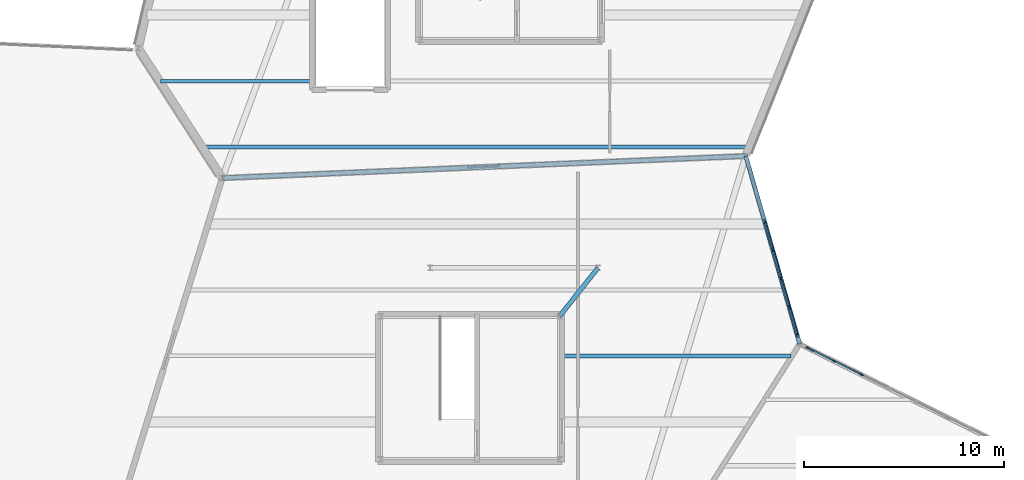
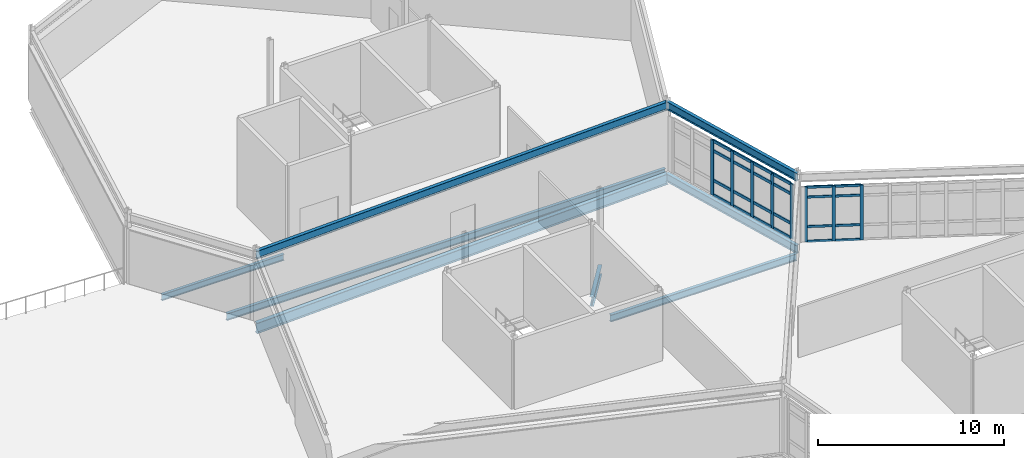
# One storey, part 32 of 76: 32 members, 8 beams, 2 elements without a shape of their own.
"""IFC4 building model written with IfcOpenShell, lengths in metres."""

from ifc_helpers import new_model, si_unit, direction, frame, origin, origin_2d, place, context, subcontext, project, spatial, rectangle, i_section, extrude, material, material_profile, profile_set, type_object, element, aggregate, save


model = new_model("IFC4")

# Units and contexts
model_context = context("Model", 3, precision=1e-05, world=origin(), true_north=direction((0.0, 1.0)))
body_context = subcontext(model_context, "Body", "Model", "MODEL_VIEW")
ifc_project = project(units=[si_unit("LENGTHUNIT", "METRE"), si_unit("AREAUNIT", "SQUARE_METRE"), si_unit("VOLUMEUNIT", "CUBIC_METRE"), si_unit("PLANEANGLEUNIT", "RADIAN"), si_unit("MASSUNIT", "GRAM", prefix="KILO")], contexts=[model_context])

# Site, building, storey
site_placement = place(None, origin())
site = spatial("IfcSite", under=ifc_project, at=site_placement, CompositionType="ELEMENT")
building_placement = place(site_placement, origin())
building = spatial("IfcBuilding", under=site, at=building_placement, Name="Tameran Prism Museum", CompositionType="ELEMENT")
storey_placement = place(building_placement, frame((0.0, 0.0, 15.0)))
storey = spatial("IfcBuildingStorey", under=building, at=storey_placement, Name="L03", CompositionType="ELEMENT", Elevation=15.0)

# Beams
ifc_material_1 = material(Name="Steel Grade 300PLUS (300 MPa)", Category="steel")
ifc_material_profile_1 = material_profile(ifc_material_1, i_section(OverallWidth=0.177978515625, OverallDepth=0.406005859375, WebThickness=0.0078125, FlangeThickness=0.0126953125, FilletRadius=0.011474609375, at=origin_2d()))
ifc_profile_set_1 = profile_set([ifc_material_profile_1])
beam_type_1 = type_object("IfcBeamType", Name="BM-J410A", PredefinedType="JOIST", material=ifc_profile_set_1)
beam_1_placement = place(storey_placement, frame((28.513916015625, 86.35009765625, -0.403076171875), z_axis=(1.0, 0.0, 0.0), x_axis=(0.0, 1.0, 0.0)))
element("IfcBeam", 1, at=beam_1_placement, inside=storey, type_object=beam_type_1, Name="Floor Beam BM-1130", PredefinedType="JOIST", context=body_context, shape_type="SweptSolid", body=[
    extrude(i_section(OverallWidth=0.177978515625, OverallDepth=0.406005859375, WebThickness=0.0078125, FlangeThickness=0.0126953125, FilletRadius=0.011474609375, at=origin_2d()), origin(), (0.0, 0.0, 1.0), 7.606201171875),
])
ifc_material_2 = material(Name="Steel Grade 300PLUS (300 MPa)", Category="steel")
ifc_material_profile_2 = material_profile(ifc_material_2, i_section(OverallWidth=0.19091796875, OverallDepth=0.4599609375, WebThickness=0.010009765625, FlangeThickness=0.01611328125, FilletRadius=0.011474609375, at=origin_2d()))
ifc_profile_set_2 = profile_set([ifc_material_profile_2])
beam_type_2 = type_object("IfcBeamType", Name="BM-J460A", PredefinedType="JOIST", material=ifc_profile_set_2)
beam_2_placement = place(storey_placement, frame((48.47998046875, 72.60009765625, -0.429931640625), z_axis=(1.0, 0.0, 0.0), x_axis=(0.0, 1.0, 0.0)))
element("IfcBeam", 2, at=beam_2_placement, inside=storey, type_object=beam_type_2, Name="Floor Beam BM-1126", PredefinedType="JOIST", context=body_context, shape_type="SweptSolid", body=[
    extrude(i_section(OverallWidth=0.19091796875, OverallDepth=0.4599609375, WebThickness=0.010009765625, FlangeThickness=0.01611328125, FilletRadius=0.011474609375, at=origin_2d()), origin(), (0.0, 0.0, 1.0), 11.593017578125),
])
beam_3_placement = place(storey_placement, frame((30.64599609375, 83.050048828125, -0.429931640625), z_axis=(1.0, 0.0, 0.0), x_axis=(0.0, 1.0, 0.0)))
element("IfcBeam", 3, at=beam_3_placement, inside=storey, type_object=beam_type_2, Name="Floor Beam BM-1129", PredefinedType="JOIST", context=body_context, shape_type="SweptSolid", body=[
    extrude(i_section(OverallWidth=0.19091796875, OverallDepth=0.4599609375, WebThickness=0.010009765625, FlangeThickness=0.01611328125, FilletRadius=0.011474609375, at=origin_2d()), origin(), (0.0, 0.0, 1.0), 27.291015625),
])
ifc_material_3 = material(Name="Steel Grade 300PLUS (300 MPa)", Category="steel")
ifc_material_profile_3 = material_profile(ifc_material_3, i_section(OverallWidth=0.208984375, OverallDepth=0.532958984375, WebThickness=0.01025390625, FlangeThickness=0.015625, FilletRadius=0.013916015625, at=origin_2d()))
ifc_profile_set_3 = profile_set([ifc_material_profile_3])
beam_type_3 = type_object("IfcBeamType", Name="BM-SP530A", PredefinedType="SPANDREL", material=ifc_profile_set_3)
beam_4_placement = place(storey_placement, frame((60.5, 73.199951171875, -0.466552734375), z_axis=(-0.276062724343, 0.96113962161, 0.0), x_axis=(-0.96113962161, -0.276062724343, 0.0)))
element("IfcBeam", 4, at=beam_4_placement, inside=storey, type_object=beam_type_3, Name="Perimeter Spandrel SP-0994", PredefinedType="SPANDREL", context=body_context, shape_type="SweptSolid", body=[
    extrude(i_section(OverallWidth=0.208984375, OverallDepth=0.532958984375, WebThickness=0.01025390625, FlangeThickness=0.015625, FilletRadius=0.013916015625, at=origin_2d()), origin(), (0.0, 0.0, 1.0), 9.7802734375),
])
ifc_material_4 = material(Name="Steel Grade 300PLUS (300 MPa)", Category="steel")
ifc_material_profile_4 = material_profile(ifc_material_4, i_section(OverallWidth=0.208984375, OverallDepth=0.528076171875, WebThickness=0.009521484375, FlangeThickness=0.01318359375, FilletRadius=0.013916015625, at=origin_2d()))
ifc_profile_set_4 = profile_set([ifc_material_profile_4])
beam_type_4 = type_object("IfcBeamType", Name="BM-SP530B", PredefinedType="SPANDREL", material=ifc_profile_set_4)
beam_5_placement = place(storey_placement, frame((60.5, 73.199951171875, 4.285888671875), z_axis=(-0.276062724343, 0.96113962161, 0.0), x_axis=(-0.96113962161, -0.276062724343, 0.0)))
element("IfcBeam", 5, at=beam_5_placement, inside=storey, type_object=beam_type_4, Name="Roof Ring Beam RB-0998", PredefinedType="SPANDREL", context=body_context, shape_type="SweptSolid", body=[
    extrude(i_section(OverallWidth=0.208984375, OverallDepth=0.528076171875, WebThickness=0.009521484375, FlangeThickness=0.01318359375, FilletRadius=0.013916015625, at=origin_2d()), origin(), (0.0, 0.0, 1.0), 9.7802734375),
])
beam_6_placement = place(storey_placement, frame((57.800048828125, 82.60009765625, 4.256103515625), z_axis=(-0.999119645224, -0.041951573605, 0.0), x_axis=(0.041951573605, -0.999119645224, 0.0)))
element("IfcBeam", 6, at=beam_6_placement, inside=storey, type_object=beam_type_4, Name="Roof Ring Beam RB-0999", PredefinedType="SPANDREL", context=body_context, shape_type="SweptSolid", body=[
    extrude(i_section(OverallWidth=0.208984375, OverallDepth=0.528076171875, WebThickness=0.009521484375, FlangeThickness=0.01318359375, FilletRadius=0.013916015625, at=origin_2d()), origin(), (0.0, 0.0, 1.0), 26.22314453125),
])
ifc_material_5 = material(Name="Steel Grade 350 (350 MPa)", Category="steel")
ifc_material_profile_5 = material_profile(ifc_material_5, i_section(OverallWidth=0.25, OverallDepth=0.699951171875, WebThickness=0.010009765625, FlangeThickness=0.02001953125, at=origin_2d()))
ifc_profile_set_5 = profile_set([ifc_material_profile_5])
beam_type_5 = type_object("IfcBeamType", Name="BM-SP700", PredefinedType="SPANDREL", material=ifc_profile_set_5)
beam_7_placement = place(storey_placement, frame((57.800048828125, 82.60009765625, -0.550048828125), z_axis=(-0.999119645224, -0.041951573605, 0.0), x_axis=(0.041951573605, -0.999119645224, 0.0)))
element("IfcBeam", 7, at=beam_7_placement, inside=storey, type_object=beam_type_5, Name="Perimeter Spandrel SP-0995", PredefinedType="SPANDREL", context=body_context, shape_type="SweptSolid", body=[
    extrude(i_section(OverallWidth=0.25, OverallDepth=0.699951171875, WebThickness=0.010009765625, FlangeThickness=0.02001953125, at=origin_2d()), origin(), (0.0, 0.0, 1.0), 26.22314453125),
])
ifc_material_6 = material(Name="Steel Grade 300PLUS (300 MPa)", Category="steel")
ifc_material_profile_6 = material_profile(ifc_material_6, i_section(OverallWidth=0.22900390625, OverallDepth=0.612060546875, WebThickness=0.011962890625, FlangeThickness=0.01953125, FilletRadius=0.013916015625, at=origin_2d()))
ifc_profile_set_6 = profile_set([ifc_material_profile_6])
beam_type_6 = type_object("IfcBeamType", Name="BM-UB610A", PredefinedType="BEAM", material=ifc_profile_set_6)
beam_8_placement = place(storey_placement, frame((50.39990234375, 77.0, -0.56005859375), z_axis=(-0.621528541647, -0.783391518922, 0.0), x_axis=(0.783391518922, -0.621528541647, 0.0)))
element("IfcBeam", 8, at=beam_8_placement, inside=storey, type_object=beam_type_6, Name="Frame Tie Girder FG-1329", PredefinedType="BEAM", context=body_context, shape_type="SweptSolid", body=[
    extrude(i_section(OverallWidth=0.22900390625, OverallDepth=0.612060546875, WebThickness=0.011962890625, FlangeThickness=0.01953125, FilletRadius=0.013916015625, at=origin_2d()), origin(), (0.0, 0.0, 1.0), 3.089111328125),
])

# Curtain wall, members
ifc_material_7 = material(Name="Anodised Aluminium 6063-T6 and Cyclone Solar Glass", Category="aluminium")
curtain_wall_type_1 = type_object("IfcCurtainWallType", Name="CW-FAC-1520x362", PredefinedType="USERDEFINED", material=ifc_material_7)
curtain_wall_1_placement = place(storey_placement, origin())
curtain_wall_1 = element("IfcCurtainWall", 9, at=curtain_wall_1_placement, inside=storey, type_object=curtain_wall_type_1, Name="Unitised Curtain Wall CW-144", ObjectType="UNITISED CURTAIN WALL", PredefinedType="USERDEFINED")
ifc_material_8 = material(Name="Anodised Aluminium Alloy 6063-T6", Category="aluminium")
ifc_material_profile_7 = material_profile(ifc_material_8, rectangle(XDim=0.070068359375, YDim=0.179931640625, at=origin_2d()))
ifc_profile_set_7 = profile_set([ifc_material_profile_7])
member_type_1 = type_object("IfcMemberType", Name="CW-MUL-B", PredefinedType="MULLION", material=ifc_profile_set_7)
member_1_placement = place(storey_placement, frame((60.8984375, 73.00146484375, 0.0), z_axis=(0.0, 0.0, 1.0), x_axis=(0.444633769593, 0.895712459966, 0.0)))
member_1 = element("IfcMember", 10, at=member_1_placement, type_object=member_type_1, Name="CW-144 mullion 1", PredefinedType="MULLION", context=body_context, shape_type="SweptSolid", body=[
    extrude(rectangle(XDim=0.070068359375, YDim=0.179931640625, at=origin_2d()), origin(), (0.0, 0.0, 1.0), 3.6201171875),
])
member_2_placement = place(storey_placement, frame((62.22900390625, 72.3408203125, 0.0), z_axis=(0.0, 0.0, 1.0), x_axis=(0.444633769593, 0.895712459966, 0.0)))
member_2 = element("IfcMember", 11, at=member_2_placement, type_object=member_type_1, Name="CW-144 mullion 2", PredefinedType="MULLION", context=body_context, shape_type="SweptSolid", body=[
    extrude(rectangle(XDim=0.070068359375, YDim=0.179931640625, at=origin_2d()), origin(), (0.0, 0.0, 1.0), 3.6201171875),
])
member_3_placement = place(storey_placement, frame((63.591064453125, 71.664794921875, 0.0), z_axis=(0.0, 0.0, 1.0), x_axis=(0.444633769593, 0.895712459966, 0.0)))
member_3 = element("IfcMember", 12, at=member_3_placement, type_object=member_type_1, Name="CW-144 mullion 3", PredefinedType="MULLION", context=body_context, shape_type="SweptSolid", body=[
    extrude(rectangle(XDim=0.070068359375, YDim=0.179931640625, at=origin_2d()), origin(), (0.0, 0.0, 1.0), 3.6201171875),
])

ifc_material_9 = material(Name="Anodised Aluminium 6063-T6 and Cyclone Solar Glass", Category="aluminium")
curtain_wall_type_2 = type_object("IfcCurtainWallType", Name="CW-FAC-896x362", PredefinedType="USERDEFINED", material=ifc_material_9)
curtain_wall_2_placement = place(storey_placement, origin())
curtain_wall_2 = element("IfcCurtainWall", 13, at=curtain_wall_2_placement, inside=storey, type_object=curtain_wall_type_2, Name="Unitised Curtain Wall CW-150", ObjectType="UNITISED CURTAIN WALL", PredefinedType="USERDEFINED")
ifc_material_10 = material(Name="Anodised Aluminium Alloy 6063-T6", Category="aluminium")
ifc_material_profile_8 = material_profile(ifc_material_10, rectangle(XDim=0.080078125, YDim=0.219970703125, at=origin_2d()))
ifc_profile_set_8 = profile_set([ifc_material_profile_8])
member_type_2 = type_object("IfcMemberType", Name="CW-MUL-D", PredefinedType="MULLION", material=ifc_profile_set_8)
member_4_placement = place(storey_placement, frame((58.738037109375, 79.33544921875, 0.0), z_axis=(0.0, 0.0, 1.0), x_axis=(0.961186288279, 0.275900197941, 0.0)))
member_4 = element("IfcMember", 14, at=member_4_placement, type_object=member_type_2, Name="CW-150 mullion 3", PredefinedType="MULLION", context=body_context, shape_type="SweptSolid", body=[
    extrude(rectangle(XDim=0.080078125, YDim=0.219970703125, at=origin_2d()), origin(), (0.0, 0.0, 1.0), 3.6201171875),
])
member_5_placement = place(storey_placement, frame((59.14990234375, 77.89990234375, 0.0), z_axis=(0.0, 0.0, 1.0), x_axis=(0.961186288279, 0.275900197941, 0.0)))
member_5 = element("IfcMember", 15, at=member_5_placement, type_object=member_type_2, Name="CW-150 mullion 4", PredefinedType="MULLION", context=body_context, shape_type="SweptSolid", body=[
    extrude(rectangle(XDim=0.080078125, YDim=0.219970703125, at=origin_2d()), origin(), (0.0, 0.0, 1.0), 3.6201171875),
])
member_6_placement = place(storey_placement, frame((59.56201171875, 76.464599609375, 0.0), z_axis=(0.0, 0.0, 1.0), x_axis=(0.961186288279, 0.275900197941, 0.0)))
member_6 = element("IfcMember", 16, at=member_6_placement, type_object=member_type_2, Name="CW-150 mullion 5", PredefinedType="MULLION", context=body_context, shape_type="SweptSolid", body=[
    extrude(rectangle(XDim=0.080078125, YDim=0.219970703125, at=origin_2d()), origin(), (0.0, 0.0, 1.0), 3.6201171875),
])
member_7_placement = place(storey_placement, frame((59.97412109375, 75.029296875, 0.0), z_axis=(0.0, 0.0, 1.0), x_axis=(0.961186288279, 0.275900197941, 0.0)))
member_7 = element("IfcMember", 17, at=member_7_placement, type_object=member_type_2, Name="CW-150 mullion 6", PredefinedType="MULLION", context=body_context, shape_type="SweptSolid", body=[
    extrude(rectangle(XDim=0.080078125, YDim=0.219970703125, at=origin_2d()), origin(), (0.0, 0.0, 1.0), 3.6201171875),
])
member_8_placement = place(storey_placement, frame((60.375, 73.632568359375, 0.0), z_axis=(0.0, 0.0, 1.0), x_axis=(0.961186288279, 0.275900197941, 0.0)))
member_8 = element("IfcMember", 18, at=member_8_placement, type_object=member_type_2, Name="CW-150 mullion 7", PredefinedType="MULLION", context=body_context, shape_type="SweptSolid", body=[
    extrude(rectangle(XDim=0.080078125, YDim=0.219970703125, at=origin_2d()), origin(), (0.0, 0.0, 1.0), 3.6201171875),
])

# Member
ifc_material_11 = material(Name="Anodised Aluminium Alloy 6063-T6", Category="aluminium")
ifc_material_profile_9 = material_profile(ifc_material_11, rectangle(XDim=0.070068359375, YDim=0.155029296875, at=origin_2d()))
ifc_profile_set_9 = profile_set([ifc_material_profile_9])
member_type_3 = type_object("IfcMemberType", Name="CW-TRN-B", PredefinedType="USERDEFINED", material=ifc_profile_set_9)
member_9_placement = place(storey_placement, frame((60.9296875, 72.98583984375, 0.034912109375), z_axis=(0.895734011808, -0.444590350874, 0.0), x_axis=(0.444590350874, 0.895734011808, 0.0)))
member_9 = element("IfcMember", 19, at=member_9_placement, type_object=member_type_3, Name="CW-144 transom 1.1", ObjectType="TRANSOM", PredefinedType="USERDEFINED", context=body_context, shape_type="SweptSolid", body=[
    extrude(rectangle(XDim=0.070068359375, YDim=0.155029296875, at=origin_2d()), origin(), (0.0, 0.0, 1.0), 1.415771484375),
])

member_10_placement = place(storey_placement, frame((60.9296875, 72.98583984375, 1.0), z_axis=(0.895734011808, -0.444590350874, 0.0), x_axis=(0.444590350874, 0.895734011808, 0.0)))
member_10 = element("IfcMember", 20, at=member_10_placement, type_object=member_type_3, Name="CW-144 transom 1.2", ObjectType="TRANSOM", PredefinedType="USERDEFINED", context=body_context, shape_type="SweptSolid", body=[
    extrude(rectangle(XDim=0.070068359375, YDim=0.155029296875, at=origin_2d()), origin(), (0.0, 0.0, 1.0), 1.415771484375),
])

member_11_placement = place(storey_placement, frame((60.9296875, 72.98583984375, 2.93994140625), z_axis=(0.895734011808, -0.444590350874, 0.0), x_axis=(0.444590350874, 0.895734011808, 0.0)))
member_11 = element("IfcMember", 21, at=member_11_placement, type_object=member_type_3, Name="CW-144 transom 1.3", ObjectType="TRANSOM", PredefinedType="USERDEFINED", context=body_context, shape_type="SweptSolid", body=[
    extrude(rectangle(XDim=0.070068359375, YDim=0.155029296875, at=origin_2d()), origin(), (0.0, 0.0, 1.0), 1.415771484375),
])

member_12_placement = place(storey_placement, frame((60.9296875, 72.98583984375, 3.5849609375), z_axis=(0.895734011808, -0.444590350874, 0.0), x_axis=(0.444590350874, 0.895734011808, 0.0)))
member_12 = element("IfcMember", 22, at=member_12_placement, type_object=member_type_3, Name="CW-144 transom 1.4", ObjectType="TRANSOM", PredefinedType="USERDEFINED", context=body_context, shape_type="SweptSolid", body=[
    extrude(rectangle(XDim=0.070068359375, YDim=0.155029296875, at=origin_2d()), origin(), (0.0, 0.0, 1.0), 1.415771484375),
])

member_13_placement = place(storey_placement, frame((62.26025390625, 72.325439453125, 0.034912109375), z_axis=(0.89570262692, -0.444653577663, 0.0), x_axis=(0.444653577663, 0.89570262692, 0.0)))
member_13 = element("IfcMember", 23, at=member_13_placement, type_object=member_type_3, Name="CW-144 transom 2.1", ObjectType="TRANSOM", PredefinedType="USERDEFINED", context=body_context, shape_type="SweptSolid", body=[
    extrude(rectangle(XDim=0.070068359375, YDim=0.155029296875, at=origin_2d()), origin(), (0.0, 0.0, 1.0), 1.45068359375),
])

member_14_placement = place(storey_placement, frame((62.26025390625, 72.325439453125, 1.0), z_axis=(0.89570262692, -0.444653577663, 0.0), x_axis=(0.444653577663, 0.89570262692, 0.0)))
member_14 = element("IfcMember", 24, at=member_14_placement, type_object=member_type_3, Name="CW-144 transom 2.2", ObjectType="TRANSOM", PredefinedType="USERDEFINED", context=body_context, shape_type="SweptSolid", body=[
    extrude(rectangle(XDim=0.070068359375, YDim=0.155029296875, at=origin_2d()), origin(), (0.0, 0.0, 1.0), 1.45068359375),
])

member_15_placement = place(storey_placement, frame((62.26025390625, 72.325439453125, 2.93994140625), z_axis=(0.89570262692, -0.444653577663, 0.0), x_axis=(0.444653577663, 0.89570262692, 0.0)))
member_15 = element("IfcMember", 25, at=member_15_placement, type_object=member_type_3, Name="CW-144 transom 2.3", ObjectType="TRANSOM", PredefinedType="USERDEFINED", context=body_context, shape_type="SweptSolid", body=[
    extrude(rectangle(XDim=0.070068359375, YDim=0.155029296875, at=origin_2d()), origin(), (0.0, 0.0, 1.0), 1.45068359375),
])

member_16_placement = place(storey_placement, frame((62.26025390625, 72.325439453125, 3.5849609375), z_axis=(0.89570262692, -0.444653577663, 0.0), x_axis=(0.444653577663, 0.89570262692, 0.0)))
member_16 = element("IfcMember", 26, at=member_16_placement, type_object=member_type_3, Name="CW-144 transom 2.4", ObjectType="TRANSOM", PredefinedType="USERDEFINED", context=body_context, shape_type="SweptSolid", body=[
    extrude(rectangle(XDim=0.070068359375, YDim=0.155029296875, at=origin_2d()), origin(), (0.0, 0.0, 1.0), 1.45068359375),
])

aggregate(curtain_wall_1, [member_1, member_2, member_3, member_9, member_10, member_11, member_12, member_13, member_14, member_15, member_16])

ifc_material_12 = material(Name="Anodised Aluminium Alloy 6063-T6", Category="aluminium")
ifc_material_profile_10 = material_profile(ifc_material_12, rectangle(XDim=0.080078125, YDim=0.195068359375, at=origin_2d()))
ifc_profile_set_10 = profile_set([ifc_material_profile_10])
member_type_4 = type_object("IfcMemberType", Name="CW-TRN-D", PredefinedType="USERDEFINED", material=ifc_profile_set_10)
member_17_placement = place(storey_placement, frame((58.7490234375, 79.296875, 0.0400390625), z_axis=(0.275884556485, -0.961190777886, 0.0), x_axis=(0.961190777886, 0.275884556485, 0.0)))
member_17 = element("IfcMember", 27, at=member_17_placement, type_object=member_type_4, Name="CW-150 transom 3.1", ObjectType="TRANSOM", PredefinedType="USERDEFINED", context=body_context, shape_type="SweptSolid", body=[
    extrude(rectangle(XDim=0.080078125, YDim=0.195068359375, at=origin_2d()), origin(), (0.0, 0.0, 1.0), 1.413330078125),
])

member_18_placement = place(storey_placement, frame((58.7490234375, 79.296875, 1.0), z_axis=(0.275884556485, -0.961190777886, 0.0), x_axis=(0.961190777886, 0.275884556485, 0.0)))
member_18 = element("IfcMember", 28, at=member_18_placement, type_object=member_type_4, Name="CW-150 transom 3.2", ObjectType="TRANSOM", PredefinedType="USERDEFINED", context=body_context, shape_type="SweptSolid", body=[
    extrude(rectangle(XDim=0.080078125, YDim=0.195068359375, at=origin_2d()), origin(), (0.0, 0.0, 1.0), 1.413330078125),
])

member_19_placement = place(storey_placement, frame((58.7490234375, 79.296875, 2.93994140625), z_axis=(0.275884556485, -0.961190777886, 0.0), x_axis=(0.961190777886, 0.275884556485, 0.0)))
member_19 = element("IfcMember", 29, at=member_19_placement, type_object=member_type_4, Name="CW-150 transom 3.3", ObjectType="TRANSOM", PredefinedType="USERDEFINED", context=body_context, shape_type="SweptSolid", body=[
    extrude(rectangle(XDim=0.080078125, YDim=0.195068359375, at=origin_2d()), origin(), (0.0, 0.0, 1.0), 1.413330078125),
])

member_20_placement = place(storey_placement, frame((58.7490234375, 79.296875, 3.580078125), z_axis=(0.275884556485, -0.961190777886, 0.0), x_axis=(0.961190777886, 0.275884556485, 0.0)))
member_20 = element("IfcMember", 30, at=member_20_placement, type_object=member_type_4, Name="CW-150 transom 3.4", ObjectType="TRANSOM", PredefinedType="USERDEFINED", context=body_context, shape_type="SweptSolid", body=[
    extrude(rectangle(XDim=0.080078125, YDim=0.195068359375, at=origin_2d()), origin(), (0.0, 0.0, 1.0), 1.413330078125),
])

member_21_placement = place(storey_placement, frame((59.1611328125, 77.861572265625, 0.0400390625), z_axis=(0.275884556485, -0.961190777886, 0.0), x_axis=(0.961190777886, 0.275884556485, 0.0)))
member_21 = element("IfcMember", 31, at=member_21_placement, type_object=member_type_4, Name="CW-150 transom 4.1", ObjectType="TRANSOM", PredefinedType="USERDEFINED", context=body_context, shape_type="SweptSolid", body=[
    extrude(rectangle(XDim=0.080078125, YDim=0.195068359375, at=origin_2d()), origin(), (0.0, 0.0, 1.0), 1.413330078125),
])

member_22_placement = place(storey_placement, frame((59.1611328125, 77.861572265625, 1.0), z_axis=(0.275884556485, -0.961190777886, 0.0), x_axis=(0.961190777886, 0.275884556485, 0.0)))
member_22 = element("IfcMember", 32, at=member_22_placement, type_object=member_type_4, Name="CW-150 transom 4.2", ObjectType="TRANSOM", PredefinedType="USERDEFINED", context=body_context, shape_type="SweptSolid", body=[
    extrude(rectangle(XDim=0.080078125, YDim=0.195068359375, at=origin_2d()), origin(), (0.0, 0.0, 1.0), 1.413330078125),
])

member_23_placement = place(storey_placement, frame((59.1611328125, 77.861572265625, 2.93994140625), z_axis=(0.275884556485, -0.961190777886, 0.0), x_axis=(0.961190777886, 0.275884556485, 0.0)))
member_23 = element("IfcMember", 33, at=member_23_placement, type_object=member_type_4, Name="CW-150 transom 4.3", ObjectType="TRANSOM", PredefinedType="USERDEFINED", context=body_context, shape_type="SweptSolid", body=[
    extrude(rectangle(XDim=0.080078125, YDim=0.195068359375, at=origin_2d()), origin(), (0.0, 0.0, 1.0), 1.413330078125),
])

member_24_placement = place(storey_placement, frame((59.1611328125, 77.861572265625, 3.580078125), z_axis=(0.275884556485, -0.961190777886, 0.0), x_axis=(0.961190777886, 0.275884556485, 0.0)))
member_24 = element("IfcMember", 34, at=member_24_placement, type_object=member_type_4, Name="CW-150 transom 4.4", ObjectType="TRANSOM", PredefinedType="USERDEFINED", context=body_context, shape_type="SweptSolid", body=[
    extrude(rectangle(XDim=0.080078125, YDim=0.195068359375, at=origin_2d()), origin(), (0.0, 0.0, 1.0), 1.413330078125),
])

member_25_placement = place(storey_placement, frame((59.572998046875, 76.42626953125, 0.0400390625), z_axis=(0.275884556485, -0.961190777886, 0.0), x_axis=(0.961190777886, 0.275884556485, 0.0)))
member_25 = element("IfcMember", 35, at=member_25_placement, type_object=member_type_4, Name="CW-150 transom 5.1", ObjectType="TRANSOM", PredefinedType="USERDEFINED", context=body_context, shape_type="SweptSolid", body=[
    extrude(rectangle(XDim=0.080078125, YDim=0.195068359375, at=origin_2d()), origin(), (0.0, 0.0, 1.0), 1.413330078125),
])

member_26_placement = place(storey_placement, frame((59.572998046875, 76.42626953125, 1.0), z_axis=(0.275884556485, -0.961190777886, 0.0), x_axis=(0.961190777886, 0.275884556485, 0.0)))
member_26 = element("IfcMember", 36, at=member_26_placement, type_object=member_type_4, Name="CW-150 transom 5.2", ObjectType="TRANSOM", PredefinedType="USERDEFINED", context=body_context, shape_type="SweptSolid", body=[
    extrude(rectangle(XDim=0.080078125, YDim=0.195068359375, at=origin_2d()), origin(), (0.0, 0.0, 1.0), 1.413330078125),
])

member_27_placement = place(storey_placement, frame((59.572998046875, 76.42626953125, 2.93994140625), z_axis=(0.275884556485, -0.961190777886, 0.0), x_axis=(0.961190777886, 0.275884556485, 0.0)))
member_27 = element("IfcMember", 37, at=member_27_placement, type_object=member_type_4, Name="CW-150 transom 5.3", ObjectType="TRANSOM", PredefinedType="USERDEFINED", context=body_context, shape_type="SweptSolid", body=[
    extrude(rectangle(XDim=0.080078125, YDim=0.195068359375, at=origin_2d()), origin(), (0.0, 0.0, 1.0), 1.413330078125),
])

member_28_placement = place(storey_placement, frame((59.572998046875, 76.42626953125, 3.580078125), z_axis=(0.275884556485, -0.961190777886, 0.0), x_axis=(0.961190777886, 0.275884556485, 0.0)))
member_28 = element("IfcMember", 38, at=member_28_placement, type_object=member_type_4, Name="CW-150 transom 5.4", ObjectType="TRANSOM", PredefinedType="USERDEFINED", context=body_context, shape_type="SweptSolid", body=[
    extrude(rectangle(XDim=0.080078125, YDim=0.195068359375, at=origin_2d()), origin(), (0.0, 0.0, 1.0), 1.413330078125),
])

member_29_placement = place(storey_placement, frame((59.985107421875, 74.990966796875, 0.0400390625), z_axis=(0.275894858181, -0.961187820995, 0.0), x_axis=(0.961187820995, 0.275894858181, 0.0)))
member_29 = element("IfcMember", 39, at=member_29_placement, type_object=member_type_4, Name="CW-150 transom 6.1", ObjectType="TRANSOM", PredefinedType="USERDEFINED", context=body_context, shape_type="SweptSolid", body=[
    extrude(rectangle(XDim=0.080078125, YDim=0.195068359375, at=origin_2d()), origin(), (0.0, 0.0, 1.0), 1.373291015625),
])

member_30_placement = place(storey_placement, frame((59.985107421875, 74.990966796875, 1.0), z_axis=(0.275894858181, -0.961187820995, 0.0), x_axis=(0.961187820995, 0.275894858181, 0.0)))
member_30 = element("IfcMember", 40, at=member_30_placement, type_object=member_type_4, Name="CW-150 transom 6.2", ObjectType="TRANSOM", PredefinedType="USERDEFINED", context=body_context, shape_type="SweptSolid", body=[
    extrude(rectangle(XDim=0.080078125, YDim=0.195068359375, at=origin_2d()), origin(), (0.0, 0.0, 1.0), 1.373291015625),
])

member_31_placement = place(storey_placement, frame((59.985107421875, 74.990966796875, 2.93994140625), z_axis=(0.275894858181, -0.961187820995, 0.0), x_axis=(0.961187820995, 0.275894858181, 0.0)))
member_31 = element("IfcMember", 41, at=member_31_placement, type_object=member_type_4, Name="CW-150 transom 6.3", ObjectType="TRANSOM", PredefinedType="USERDEFINED", context=body_context, shape_type="SweptSolid", body=[
    extrude(rectangle(XDim=0.080078125, YDim=0.195068359375, at=origin_2d()), origin(), (0.0, 0.0, 1.0), 1.373291015625),
])

member_32_placement = place(storey_placement, frame((59.985107421875, 74.990966796875, 3.580078125), z_axis=(0.275894858181, -0.961187820995, 0.0), x_axis=(0.961187820995, 0.275894858181, 0.0)))
member_32 = element("IfcMember", 42, at=member_32_placement, type_object=member_type_4, Name="CW-150 transom 6.4", ObjectType="TRANSOM", PredefinedType="USERDEFINED", context=body_context, shape_type="SweptSolid", body=[
    extrude(rectangle(XDim=0.080078125, YDim=0.195068359375, at=origin_2d()), origin(), (0.0, 0.0, 1.0), 1.373291015625),
])

aggregate(curtain_wall_2, [member_4, member_5, member_6, member_7, member_8, member_17, member_18, member_19, member_20, member_21, member_22, member_23, member_24, member_25, member_26, member_27, member_28, member_29, member_30, member_31, member_32])

save(model, "model.ifc")
